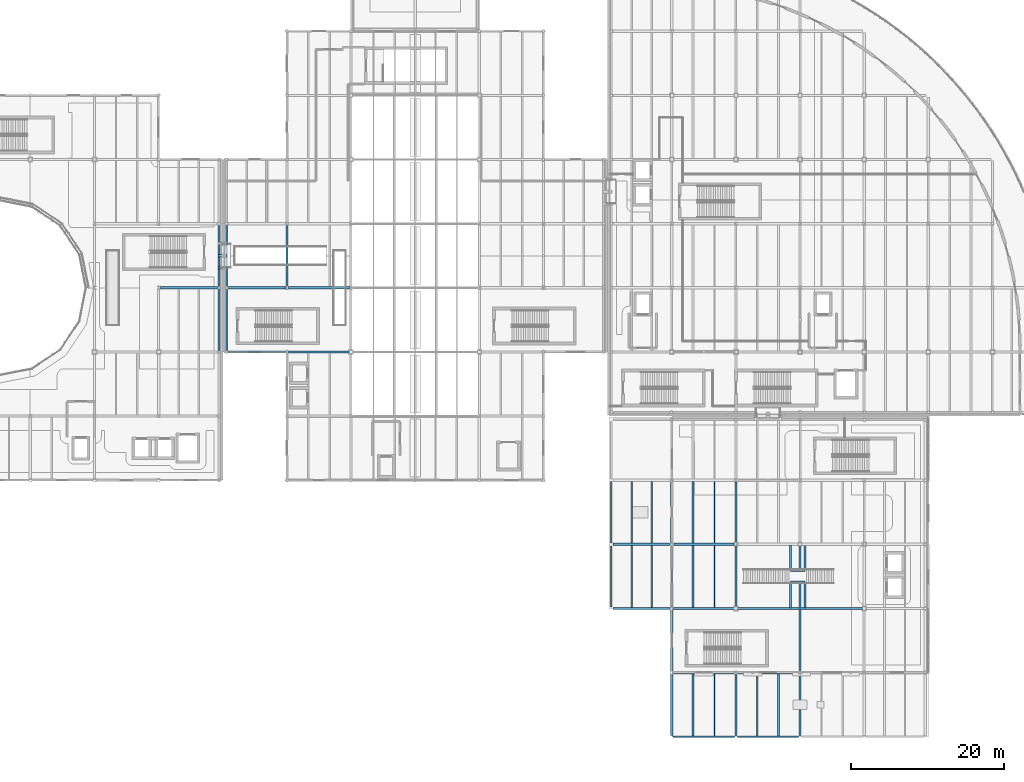
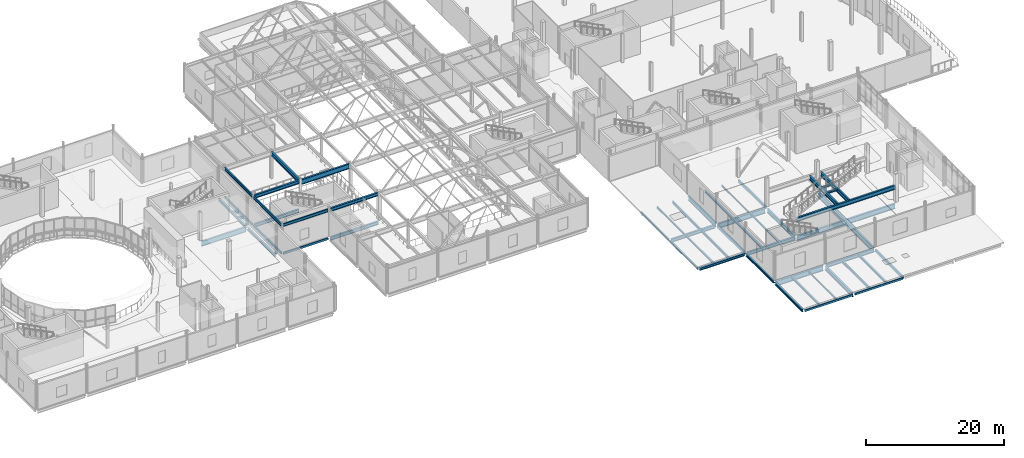
# One storey, part 21 of 103: 54 beams.
"""IFC4 building model written with IfcOpenShell, lengths in metres."""

from ifc_helpers import new_model, si_unit, direction, frame, origin, origin_2d, place, context, subcontext, project, spatial, hollow_rectangle, i_section, extrude, material, material_profile, profile_set, type_object, element, save


model = new_model("IFC4")

# Units and contexts
model_context = context("Model", 3, precision=1e-05, world=origin(), true_north=direction((0.0, 1.0)))
body_context = subcontext(model_context, "Body", "Model", "MODEL_VIEW")
ifc_project = project(units=[si_unit("LENGTHUNIT", "METRE"), si_unit("AREAUNIT", "SQUARE_METRE"), si_unit("VOLUMEUNIT", "CUBIC_METRE"), si_unit("PLANEANGLEUNIT", "RADIAN"), si_unit("MASSUNIT", "GRAM", prefix="KILO"), si_unit("THERMODYNAMICTEMPERATUREUNIT", "KELVIN")], contexts=[model_context])

# Site, building, storey
site_placement = place(None, origin())
site = spatial("IfcSite", under=ifc_project, at=site_placement, CompositionType="ELEMENT")
building_placement = place(site_placement, origin())
building = spatial("IfcBuilding", under=site, at=building_placement, Name="Lustrewick Department Store", CompositionType="ELEMENT")
storey_placement = place(building_placement, frame((0.0, 0.0, 16.5)))
storey = spatial("IfcBuildingStorey", under=building, at=storey_placement, Name="L04", CompositionType="ELEMENT", Elevation=16.5)

# Beams
ifc_material_1 = material(Name="Structural steel Q355B", Category="steel")
ifc_material_profile_1 = material_profile(ifc_material_1, i_section(OverallWidth=0.198974609375, OverallDepth=0.446044921875, WebThickness=0.008056640625, FlangeThickness=0.011962890625, FilletRadius=0.01611328125, at=origin_2d()), Name="HN 446x199x8x12")
ifc_profile_set_1 = profile_set([ifc_material_profile_1], Name="Structural steel Q355B")
beam_type_1 = type_object("IfcBeamType", Name="B04", PredefinedType="JOIST", material=ifc_profile_set_1)
beam_1_placement = place(storey_placement, frame((128.800048828125, 8.5, -0.47802734375), z_axis=(0.0, 1.0, 0.0), x_axis=(-1.0, 0.0, 0.0)))
element("IfcBeam", 1, at=beam_1_placement, inside=storey, type_object=beam_type_1, Name="L04 V3 Secondary Joist B04", PredefinedType="JOIST", context=body_context, shape_type="SweptSolid", body=[
    extrude(i_section(OverallWidth=0.198974609375, OverallDepth=0.446044921875, WebThickness=0.008056640625, FlangeThickness=0.011962890625, FilletRadius=0.01611328125, at=origin_2d()), origin(), (0.0, 0.0, 1.0), 8.14990234375),
])
beam_2_placement = place(storey_placement, frame((114.966796875, 25.35009765625, -0.47802734375), z_axis=(0.0, 1.0, 0.0), x_axis=(-1.0, 0.0, 0.0)))
element("IfcBeam", 2, at=beam_2_placement, inside=storey, type_object=beam_type_1, Name="L04 V3 Secondary Joist B04", PredefinedType="JOIST", context=body_context, shape_type="SweptSolid", body=[
    extrude(i_section(OverallWidth=0.198974609375, OverallDepth=0.446044921875, WebThickness=0.008056640625, FlangeThickness=0.011962890625, FilletRadius=0.01611328125, at=origin_2d()), origin(), (0.0, 0.0, 1.0), 8.099853515625),
])
beam_3_placement = place(storey_placement, frame((114.966796875, 33.75, -0.47802734375), z_axis=(0.0, 1.0, 0.0), x_axis=(-1.0, 0.0, 0.0)))
element("IfcBeam", 3, at=beam_3_placement, inside=storey, type_object=beam_type_1, Name="L04 V3 Secondary Joist B04", PredefinedType="JOIST", context=body_context, shape_type="SweptSolid", body=[
    extrude(i_section(OverallWidth=0.198974609375, OverallDepth=0.446044921875, WebThickness=0.008056640625, FlangeThickness=0.011962890625, FilletRadius=0.01611328125, at=origin_2d()), origin(), (0.0, 0.0, 1.0), 8.1005859375),
])
ifc_material_profile_2 = material_profile(ifc_material_1, i_section(OverallWidth=0.25, OverallDepth=0.340087890625, WebThickness=0.009033203125, FlangeThickness=0.013916015625, FilletRadius=0.01611328125, at=origin_2d()), Name="HM 340x250x9x14")
ifc_profile_set_2 = profile_set([ifc_material_profile_2], Name="Structural steel Q355B")
beam_type_2 = type_object("IfcBeamType", Name="B08", PredefinedType="JOIST", material=ifc_profile_set_2)
for number, where, z_axis, x_axis, name in (
    (4, (120.39990234375, 8.5, -0.425048828125), (0.0, 1.0, 0.0), (-1.0, 0.0, 0.0), "L04 V3 Secondary Joist B08"),
    (5, (131.60009765625, 8.5, -0.425048828125), (0.0, 1.0, 0.0), (-1.0, 0.0, 0.0), "L04 V3 Secondary Joist B08"),
):
    element("IfcBeam", number, at=place(storey_placement, frame(where, z_axis=z_axis, x_axis=x_axis)), inside=storey, type_object=beam_type_2, Name=name, PredefinedType="JOIST", context=body_context, shape_type="SweptSolid", body=[
        extrude(i_section(OverallWidth=0.25, OverallDepth=0.340087890625, WebThickness=0.009033203125, FlangeThickness=0.013916015625, FilletRadius=0.01611328125, at=origin_2d()), origin(), (0.0, 0.0, 1.0), 8.14990234375),
    ])
beam_4_placement = place(storey_placement, frame((120.39990234375, 25.35009765625, -0.425048828125), z_axis=(0.0, 1.0, 0.0), x_axis=(-1.0, 0.0, 0.0)))
element("IfcBeam", 6, at=beam_4_placement, inside=storey, type_object=beam_type_2, Name="L04 V3 Secondary Joist B08", PredefinedType="JOIST", context=body_context, shape_type="SweptSolid", body=[
    extrude(i_section(OverallWidth=0.25, OverallDepth=0.340087890625, WebThickness=0.009033203125, FlangeThickness=0.013916015625, FilletRadius=0.01611328125, at=origin_2d()), origin(), (0.0, 0.0, 1.0), 8.099853515625),
])
beam_5_placement = place(storey_placement, frame((120.39990234375, 33.75, -0.425048828125), z_axis=(0.0, 1.0, 0.0), x_axis=(-1.0, 0.0, 0.0)))
element("IfcBeam", 7, at=beam_5_placement, inside=storey, type_object=beam_type_2, Name="L04 V3 Secondary Joist B08", PredefinedType="JOIST", context=body_context, shape_type="SweptSolid", body=[
    extrude(i_section(OverallWidth=0.25, OverallDepth=0.340087890625, WebThickness=0.009033203125, FlangeThickness=0.013916015625, FilletRadius=0.01611328125, at=origin_2d()), origin(), (0.0, 0.0, 1.0), 8.10009765625),
])
for number, where, z_axis, x_axis, name in (
    (8, (133.14990234375, 28.64990234375, 2.780029296875), (1.0, 0.0, 0.0), (0.0, 1.0, 0.0), "L04 Feature Stair AST04 Landing Cross Beam 1"),
    (9, (133.14990234375, 30.14990234375, 2.780029296875), (1.0, 0.0, 0.0), (0.0, 1.0, 0.0), "L04 Feature Stair AST04 Landing Cross Beam 2"),
):
    element("IfcBeam", number, at=place(storey_placement, frame(where, z_axis=z_axis, x_axis=x_axis)), inside=storey, type_object=beam_type_2, Name=name, PredefinedType="JOIST", context=body_context, shape_type="SweptSolid", body=[
        extrude(i_section(OverallWidth=0.25, OverallDepth=0.340087890625, WebThickness=0.009033203125, FlangeThickness=0.013916015625, FilletRadius=0.01611328125, at=origin_2d()), origin(), (0.0, 0.0, 1.0), 1.900146484375),
    ])
ifc_material_profile_3 = material_profile(ifc_material_1, i_section(OverallWidth=0.14892578125, OverallDepth=0.298095703125, WebThickness=0.005615234375, FlangeThickness=0.008056640625, FilletRadius=0.011962890625, at=origin_2d()), Name="HN 298x149x5.5x8")
ifc_profile_set_3 = profile_set([ifc_material_profile_3], Name="Structural steel Q355B")
beam_type_3 = type_object("IfcBeamType", Name="B12", PredefinedType="JOIST", material=ifc_profile_set_3)
beam_6_placement = place(storey_placement, frame((123.199951171875, 8.5, -0.404052734375), z_axis=(0.0, 1.0, 0.0), x_axis=(-1.0, 0.0, 0.0)))
element("IfcBeam", 10, at=beam_6_placement, inside=storey, type_object=beam_type_3, Name="L04 V3 Secondary Joist B12", PredefinedType="JOIST", context=body_context, shape_type="SweptSolid", body=[
    extrude(i_section(OverallWidth=0.14892578125, OverallDepth=0.298095703125, WebThickness=0.005615234375, FlangeThickness=0.008056640625, FilletRadius=0.011962890625, at=origin_2d()), origin(), (0.0, 0.0, 1.0), 8.14990234375),
])
beam_7_placement = place(storey_placement, frame((123.199951171875, 25.35009765625, -0.404052734375), z_axis=(0.0, 1.0, 0.0), x_axis=(-1.0, 0.0, 0.0)))
element("IfcBeam", 11, at=beam_7_placement, inside=storey, type_object=beam_type_3, Name="L04 V3 Secondary Joist B12", PredefinedType="JOIST", context=body_context, shape_type="SweptSolid", body=[
    extrude(i_section(OverallWidth=0.14892578125, OverallDepth=0.298095703125, WebThickness=0.005615234375, FlangeThickness=0.008056640625, FilletRadius=0.011962890625, at=origin_2d()), origin(), (0.0, 0.0, 1.0), 8.099853515625),
])
beam_8_placement = place(storey_placement, frame((123.199951171875, 33.75, -0.404052734375), z_axis=(0.0, 1.0, 0.0), x_axis=(-1.0, 0.0, 0.0)))
element("IfcBeam", 12, at=beam_8_placement, inside=storey, type_object=beam_type_3, Name="L04 V3 Secondary Joist B12", PredefinedType="JOIST", context=body_context, shape_type="SweptSolid", body=[
    extrude(i_section(OverallWidth=0.14892578125, OverallDepth=0.298095703125, WebThickness=0.005615234375, FlangeThickness=0.008056640625, FilletRadius=0.011962890625, at=origin_2d()), origin(), (0.0, 0.0, 1.0), 8.10009765625),
])
ifc_material_profile_4 = material_profile(ifc_material_1, i_section(OverallWidth=0.199951171875, OverallDepth=0.2939453125, WebThickness=0.008056640625, FlangeThickness=0.011962890625, FilletRadius=0.013916015625, at=origin_2d()), Name="HM 294x200x8x12")
ifc_profile_set_4 = profile_set([ifc_material_profile_4], Name="Structural steel Q355B")
beam_type_4 = type_object("IfcBeamType", Name="B13", PredefinedType="JOIST", material=ifc_profile_set_4)
beam_9_placement = place(storey_placement, frame((112.333251953125, 25.35009765625, -0.402099609375), z_axis=(0.0, 1.0, 0.0), x_axis=(-1.0, 0.0, 0.0)))
element("IfcBeam", 13, at=beam_9_placement, inside=storey, type_object=beam_type_4, Name="L04 V3 Secondary Joist B13", PredefinedType="JOIST", context=body_context, shape_type="SweptSolid", body=[
    extrude(i_section(OverallWidth=0.199951171875, OverallDepth=0.2939453125, WebThickness=0.008056640625, FlangeThickness=0.011962890625, FilletRadius=0.013916015625, at=origin_2d()), origin(), (0.0, 0.0, 1.0), 8.099853515625),
])
beam_10_placement = place(storey_placement, frame((112.333251953125, 33.75, -0.402099609375), z_axis=(0.0, 1.0, 0.0), x_axis=(-1.0, 0.0, 0.0)))
element("IfcBeam", 14, at=beam_10_placement, inside=storey, type_object=beam_type_4, Name="L04 V3 Secondary Joist B13", PredefinedType="JOIST", context=body_context, shape_type="SweptSolid", body=[
    extrude(i_section(OverallWidth=0.199951171875, OverallDepth=0.2939453125, WebThickness=0.008056640625, FlangeThickness=0.011962890625, FilletRadius=0.013916015625, at=origin_2d()), origin(), (0.0, 0.0, 1.0), 8.1005859375),
])
ifc_material_2 = material(Name="Structural steel Q355C", Category="steel")
ifc_material_profile_5 = material_profile(ifc_material_2, i_section(OverallWidth=0.302001953125, OverallDepth=0.912109375, WebThickness=0.01806640625, FlangeThickness=0.033935546875, FilletRadius=0.02392578125, at=origin_2d()), Name="HN 912x302x18x34")
ifc_profile_set_5 = profile_set([ifc_material_profile_5], Name="Structural steel Q355C")
beam_type_5 = type_object("IfcBeamType", Name="G01", PredefinedType="BEAM", material=ifc_profile_set_5)
beam_11_placement = place(storey_placement, frame((126.175048828125, 25.199951171875, -0.7109375), z_axis=(1.0, 0.0, 0.0), x_axis=(0.0, 1.0, 0.0)))
element("IfcBeam", 15, at=beam_11_placement, inside=storey, type_object=beam_type_5, Name="L04 V3 Girder G01", PredefinedType="BEAM", context=body_context, shape_type="SweptSolid", body=[
    extrude(i_section(OverallWidth=0.302001953125, OverallDepth=0.912109375, WebThickness=0.01806640625, FlangeThickness=0.033935546875, FilletRadius=0.02392578125, at=origin_2d()), origin(), (0.0, 0.0, 1.0), 16.449951171875),
])
ifc_material_profile_6 = material_profile(ifc_material_2, i_section(OverallWidth=0.300048828125, OverallDepth=0.89990234375, WebThickness=0.01611328125, FlangeThickness=0.028076171875, FilletRadius=0.02392578125, at=origin_2d()), Name="HN 900x300x16x28")
ifc_profile_set_6 = profile_set([ifc_material_profile_6], Name="Structural steel Q355C")
beam_type_6 = type_object("IfcBeamType", Name="G02", PredefinedType="BEAM", material=ifc_profile_set_6)
beam_12_placement = place(storey_placement, frame((117.802978515625, 16.800048828125, -0.705078125), z_axis=(1.0, 0.0, 0.0), x_axis=(0.0, 1.0, 0.0)))
element("IfcBeam", 16, at=beam_12_placement, inside=storey, type_object=beam_type_6, Name="L04 V3 Girder G02", PredefinedType="BEAM", context=body_context, shape_type="SweptSolid", body=[
    extrude(i_section(OverallWidth=0.300048828125, OverallDepth=0.89990234375, WebThickness=0.01611328125, FlangeThickness=0.028076171875, FilletRadius=0.02392578125, at=origin_2d()), origin(), (0.0, 0.0, 1.0), 7.947021484375),
])
beam_13_placement = place(storey_placement, frame((117.875, 33.60009765625, -0.705078125), z_axis=(1.0, 0.0, 0.0), x_axis=(0.0, 1.0, 0.0)))
element("IfcBeam", 17, at=beam_13_placement, inside=storey, type_object=beam_type_6, Name="L04 V3 Girder G02", PredefinedType="BEAM", context=body_context, shape_type="SweptSolid", body=[
    extrude(i_section(OverallWidth=0.300048828125, OverallDepth=0.89990234375, WebThickness=0.01611328125, FlangeThickness=0.028076171875, FilletRadius=0.02392578125, at=origin_2d()), origin(), (0.0, 0.0, 1.0), 7.85009765625),
])
ifc_material_profile_7 = material_profile(ifc_material_2, i_section(OverallWidth=0.299072265625, OverallDepth=0.889892578125, WebThickness=0.014892578125, FlangeThickness=0.02294921875, FilletRadius=0.02392578125, at=origin_2d()), Name="HN 890x299x15x23")
ifc_profile_set_7 = profile_set([ifc_material_profile_7], Name="Structural steel Q355C")
beam_type_7 = type_object("IfcBeamType", Name="G03", PredefinedType="BEAM", material=ifc_profile_set_7)
beam_14_placement = place(storey_placement, frame((50.64990234375, 67.199951171875, -0.699951171875), z_axis=(1.0, 0.0, 0.0), x_axis=(0.0, 1.0, 0.0)))
element("IfcBeam", 18, at=beam_14_placement, inside=storey, type_object=beam_type_7, Name="L04 V1 Girder G03", PredefinedType="BEAM", context=body_context, shape_type="SweptSolid", body=[
    extrude(i_section(OverallWidth=0.299072265625, OverallDepth=0.889892578125, WebThickness=0.014892578125, FlangeThickness=0.02294921875, FilletRadius=0.02392578125, at=origin_2d()), origin(), (0.0, 0.0, 1.0), 7.461669921875),
])
beam_15_placement = place(storey_placement, frame((134.39990234375, 17.050048828125, -0.699951171875), z_axis=(0.0, 1.0, 0.0), x_axis=(-1.0, 0.0, 0.0)))
element("IfcBeam", 19, at=beam_15_placement, inside=storey, type_object=beam_type_7, Name="L04 V3 Girder G03", PredefinedType="BEAM", context=body_context, shape_type="SweptSolid", body=[
    extrude(i_section(OverallWidth=0.299072265625, OverallDepth=0.889892578125, WebThickness=0.014892578125, FlangeThickness=0.02294921875, FilletRadius=0.02392578125, at=origin_2d()), origin(), (0.0, 0.0, 1.0), 16.27490234375),
])
beam_16_placement = place(storey_placement, frame((67.40087890625, 67.199951171875, 4.39990234375), z_axis=(1.0, 0.0, 0.0), x_axis=(0.0, 1.0, 0.0)))
element("IfcBeam", 20, at=beam_16_placement, inside=storey, type_object=beam_type_7, Name="L04 V2 Girder G03", PredefinedType="BEAM", context=body_context, shape_type="SweptSolid", body=[
    extrude(i_section(OverallWidth=0.299072265625, OverallDepth=0.889892578125, WebThickness=0.014892578125, FlangeThickness=0.02294921875, FilletRadius=0.02392578125, at=origin_2d()), origin(), (0.0, 0.0, 1.0), 7.998046875),
])
ifc_material_profile_8 = material_profile(ifc_material_2, i_section(OverallWidth=0.302001953125, OverallDepth=0.7080078125, WebThickness=0.014892578125, FlangeThickness=0.028076171875, FilletRadius=0.02001953125, at=origin_2d()), Name="HN 708x302x15x28")
ifc_profile_set_8 = profile_set([ifc_material_profile_8], Name="Structural steel Q355C")
beam_type_8 = type_object("IfcBeamType", Name="G07", PredefinedType="BEAM", material=ifc_profile_set_8)
beam_17_placement = place(storey_placement, frame((117.60009765625, 33.875, -0.60888671875), z_axis=(0.0, 1.0, 0.0), x_axis=(-1.0, 0.0, 0.0)))
element("IfcBeam", 21, at=beam_17_placement, inside=storey, type_object=beam_type_8, Name="L04 V3 Girder G07", PredefinedType="BEAM", context=body_context, shape_type="SweptSolid", body=[
    extrude(i_section(OverallWidth=0.302001953125, OverallDepth=0.7080078125, WebThickness=0.014892578125, FlangeThickness=0.028076171875, FilletRadius=0.02001953125, at=origin_2d()), origin(), (0.0, 0.0, 1.0), 7.875),
])
beam_18_placement = place(storey_placement, frame((126.0, 8.58837890625, -0.60888671875), z_axis=(0.0, 1.0, 0.0), x_axis=(-1.0, 0.0, 0.0)))
element("IfcBeam", 22, at=beam_18_placement, inside=storey, type_object=beam_type_8, Name="L04 V3 Girder G07", PredefinedType="BEAM", context=body_context, shape_type="SweptSolid", body=[
    extrude(i_section(OverallWidth=0.302001953125, OverallDepth=0.7080078125, WebThickness=0.014892578125, FlangeThickness=0.028076171875, FilletRadius=0.02001953125, at=origin_2d()), origin(), (0.0, 0.0, 1.0), 7.961669921875),
])
beam_19_placement = place(storey_placement, frame((126.0, 25.375, -0.60888671875), z_axis=(0.0, 1.0, 0.0), x_axis=(-1.0, 0.0, 0.0)))
element("IfcBeam", 23, at=beam_19_placement, inside=storey, type_object=beam_type_8, Name="L04 V3 Girder G07", PredefinedType="BEAM", context=body_context, shape_type="SweptSolid", body=[
    extrude(i_section(OverallWidth=0.302001953125, OverallDepth=0.7080078125, WebThickness=0.014892578125, FlangeThickness=0.028076171875, FilletRadius=0.02001953125, at=origin_2d()), origin(), (0.0, 0.0, 1.0), 7.949951171875),
])
ifc_material_profile_9 = material_profile(ifc_material_1, i_section(OverallWidth=0.300048828125, OverallDepth=0.699951171875, WebThickness=0.012939453125, FlangeThickness=0.02392578125, FilletRadius=0.02001953125, at=origin_2d()), Name="HN 700x300x13x24")
ifc_profile_set_9 = profile_set([ifc_material_profile_9], Name="Structural steel Q355B")
beam_type_9 = type_object("IfcBeamType", Name="G08", PredefinedType="BEAM", material=ifc_profile_set_9)
beam_20_placement = place(storey_placement, frame((67.199951171875, 67.39404296875, 4.4951171875), z_axis=(0.0, 1.0, 0.0), x_axis=(-1.0, 0.0, 0.0)))
element("IfcBeam", 24, at=beam_20_placement, inside=storey, type_object=beam_type_9, Name="L04 V2 Girder G08", PredefinedType="BEAM", context=body_context, shape_type="SweptSolid", body=[
    extrude(i_section(OverallWidth=0.300048828125, OverallDepth=0.699951171875, WebThickness=0.012939453125, FlangeThickness=0.02392578125, FilletRadius=0.02001953125, at=origin_2d()), origin(), (0.0, 0.0, 1.0), 8.031005859375),
])
beam_21_placement = place(storey_placement, frame((126.10009765625, 25.199951171875, 2.60009765625), z_axis=(1.0, 0.0, 0.0), x_axis=(0.0, 1.0, 0.0)))
element("IfcBeam", 25, at=beam_21_placement, inside=storey, type_object=beam_type_9, Name="L04 Feature Stair AST04 Stringer Girder EW1.1", PredefinedType="BEAM", context=body_context, shape_type="SweptSolid", body=[
    extrude(i_section(OverallWidth=0.300048828125, OverallDepth=0.699951171875, WebThickness=0.012939453125, FlangeThickness=0.02392578125, FilletRadius=0.02001953125, at=origin_2d()), origin(), (0.0, 0.0, 1.0), 16.599853515625),
])
for number, where, z_axis, x_axis, name in (
    (26, (133.14990234375, 25.300048828125, 2.60009765625), (0.0, 1.0, 0.0), (-1.0, 0.0, 0.0), "L04 Feature Stair AST04 Landing Trimmer NS1"),
    (27, (135.050048828125, 25.300048828125, 2.60009765625), (0.0, 1.0, 0.0), (-1.0, 0.0, 0.0), "L04 Feature Stair AST04 Landing Trimmer NS2"),
):
    element("IfcBeam", number, at=place(storey_placement, frame(where, z_axis=z_axis, x_axis=x_axis)), inside=storey, type_object=beam_type_9, Name=name, PredefinedType="BEAM", context=body_context, shape_type="SweptSolid", body=[
        extrude(i_section(OverallWidth=0.300048828125, OverallDepth=0.699951171875, WebThickness=0.012939453125, FlangeThickness=0.02392578125, FilletRadius=0.02001953125, at=origin_2d()), origin(), (0.0, 0.0, 1.0), 8.199951171875),
    ])
ifc_material_profile_10 = material_profile(ifc_material_1, i_section(OverallWidth=0.300048828125, OverallDepth=0.587890625, WebThickness=0.011962890625, FlangeThickness=0.02001953125, FilletRadius=0.02392578125, at=origin_2d()), Name="HM 588x300x12x20")
ifc_profile_set_10 = profile_set([ifc_material_profile_10], Name="Structural steel Q355B")
beam_type_10 = type_object("IfcBeamType", Name="G11", PredefinedType="BEAM", material=ifc_profile_set_10)
beam_22_placement = place(storey_placement, frame((67.403076171875, 58.800048828125, -0.549072265625), z_axis=(1.0, 0.0, 0.0), x_axis=(0.0, 1.0, 0.0)))
element("IfcBeam", 28, at=beam_22_placement, inside=storey, type_object=beam_type_10, Name="L04 V2 Girder G11", PredefinedType="BEAM", context=body_context, shape_type="SweptSolid", body=[
    extrude(i_section(OverallWidth=0.300048828125, OverallDepth=0.587890625, WebThickness=0.011962890625, FlangeThickness=0.02001953125, FilletRadius=0.02392578125, at=origin_2d()), origin(), (0.0, 0.0, 1.0), 8.02197265625),
])
beam_23_placement = place(storey_placement, frame((59.488525390625, 67.199951171875, -0.549072265625), z_axis=(1.0, 0.0, 0.0), x_axis=(0.0, 1.0, 0.0)))
element("IfcBeam", 29, at=beam_23_placement, inside=storey, type_object=beam_type_10, Name="L04 V2 Girder G11", PredefinedType="BEAM", context=body_context, shape_type="SweptSolid", body=[
    extrude(i_section(OverallWidth=0.300048828125, OverallDepth=0.587890625, WebThickness=0.011962890625, FlangeThickness=0.02001953125, FilletRadius=0.02392578125, at=origin_2d()), origin(), (0.0, 0.0, 1.0), 7.46142578125),
])
beam_24_placement = place(storey_placement, frame((126.25, 16.800048828125, -0.549072265625), z_axis=(1.0, 0.0, 0.0), x_axis=(0.0, 1.0, 0.0)))
element("IfcBeam", 30, at=beam_24_placement, inside=storey, type_object=beam_type_10, Name="L04 V3 Girder G11", PredefinedType="BEAM", context=body_context, shape_type="SweptSolid", body=[
    extrude(i_section(OverallWidth=0.300048828125, OverallDepth=0.587890625, WebThickness=0.011962890625, FlangeThickness=0.02001953125, FilletRadius=0.02392578125, at=origin_2d()), origin(), (0.0, 0.0, 1.0), 7.89990234375),
])
beam_25_placement = place(storey_placement, frame((117.802978515625, 25.199951171875, -0.549072265625), z_axis=(1.0, 0.0, 0.0), x_axis=(0.0, 1.0, 0.0)))
element("IfcBeam", 31, at=beam_25_placement, inside=storey, type_object=beam_type_10, Name="L04 V3 Girder G11", PredefinedType="BEAM", context=body_context, shape_type="SweptSolid", body=[
    extrude(i_section(OverallWidth=0.300048828125, OverallDepth=0.587890625, WebThickness=0.011962890625, FlangeThickness=0.02001953125, FilletRadius=0.02392578125, at=origin_2d()), origin(), (0.0, 0.0, 1.0), 8.02197265625),
])
beam_26_placement = place(storey_placement, frame((109.903076171875, 33.60009765625, -0.549072265625), z_axis=(1.0, 0.0, 0.0), x_axis=(0.0, 1.0, 0.0)))
element("IfcBeam", 32, at=beam_26_placement, inside=storey, type_object=beam_type_10, Name="L04 V3 Girder G11", PredefinedType="BEAM", context=body_context, shape_type="SweptSolid", body=[
    extrude(i_section(OverallWidth=0.300048828125, OverallDepth=0.587890625, WebThickness=0.011962890625, FlangeThickness=0.02001953125, FilletRadius=0.02392578125, at=origin_2d()), origin(), (0.0, 0.0, 1.0), 7.421875),
])
ifc_material_profile_11 = material_profile(ifc_material_1, i_section(OverallWidth=0.300048828125, OverallDepth=0.58203125, WebThickness=0.011962890625, FlangeThickness=0.01708984375, FilletRadius=0.02392578125, at=origin_2d()), Name="HM 582x300x12x17")
ifc_profile_set_11 = profile_set([ifc_material_profile_11], Name="Structural steel Q355B")
beam_type_11 = type_object("IfcBeamType", Name="G12", PredefinedType="BEAM", material=ifc_profile_set_11)
beam_27_placement = place(storey_placement, frame((67.403076171875, 58.800048828125, 4.553955078125), z_axis=(1.0, 0.0, 0.0), x_axis=(0.0, 1.0, 0.0)))
element("IfcBeam", 33, at=beam_27_placement, inside=storey, type_object=beam_type_11, Name="L04 V2 Girder G12", PredefinedType="BEAM", context=body_context, shape_type="SweptSolid", body=[
    extrude(i_section(OverallWidth=0.300048828125, OverallDepth=0.58203125, WebThickness=0.011962890625, FlangeThickness=0.01708984375, FilletRadius=0.02392578125, at=origin_2d()), origin(), (0.0, 0.0, 1.0), 7.921875),
])
beam_28_placement = place(storey_placement, frame((59.488525390625, 67.199951171875, 4.553955078125), z_axis=(1.0, 0.0, 0.0), x_axis=(0.0, 1.0, 0.0)))
element("IfcBeam", 34, at=beam_28_placement, inside=storey, type_object=beam_type_11, Name="L04 V2 Girder G12", PredefinedType="BEAM", context=body_context, shape_type="SweptSolid", body=[
    extrude(i_section(OverallWidth=0.300048828125, OverallDepth=0.58203125, WebThickness=0.011962890625, FlangeThickness=0.01708984375, FilletRadius=0.02392578125, at=origin_2d()), origin(), (0.0, 0.0, 1.0), 7.510498046875),
])
ifc_material_profile_12 = material_profile(ifc_material_1, i_section(OverallWidth=0.300048828125, OverallDepth=0.488037109375, WebThickness=0.010986328125, FlangeThickness=0.01806640625, FilletRadius=0.02197265625, at=origin_2d()), Name="HM 488x300x11x18")
ifc_profile_set_12 = profile_set([ifc_material_profile_12], Name="Structural steel Q355B")
beam_type_12 = type_object("IfcBeamType", Name="G16", PredefinedType="BEAM", material=ifc_profile_set_12)
for number, where, z_axis, x_axis, name in (
    (35, (58.199951171875, 69.800048828125, -0.4990234375), (1.0, 0.0, 0.0), (0.0, 1.0, 0.0), "L04 Skybridge SB12 Girder 1"),
    (36, (58.199951171875, 71.39990234375, -0.4990234375), (1.0, 0.0, 0.0), (0.0, 1.0, 0.0), "L04 Skybridge SB12 Girder 3"),
):
    element("IfcBeam", number, at=place(storey_placement, frame(where, z_axis=z_axis, x_axis=x_axis)), inside=storey, type_object=beam_type_12, Name=name, PredefinedType="BEAM", context=body_context, shape_type="SweptSolid", body=[
        extrude(i_section(OverallWidth=0.300048828125, OverallDepth=0.488037109375, WebThickness=0.010986328125, FlangeThickness=0.01806640625, FilletRadius=0.02197265625, at=origin_2d()), origin(), (0.0, 0.0, 1.0), 1.14013671875),
    ])
ifc_material_profile_13 = material_profile(ifc_material_2, hollow_rectangle(XDim=0.25, YDim=0.449951171875, WallThickness=0.013916015625, at=origin_2d()), Name="RHS 450x250x14")
ifc_profile_set_13 = profile_set([ifc_material_profile_13], Name="Structural steel Q355C")
beam_type_13 = type_object("IfcBeamType", Name="G18", PredefinedType="BEAM", material=ifc_profile_set_13)
beam_29_placement = place(storey_placement, frame((117.60009765625, 25.403076171875, -0.47998046875), z_axis=(0.0, 1.0, 0.0), x_axis=(-1.0, 0.0, 0.0)))
element("IfcBeam", 37, at=beam_29_placement, inside=storey, type_object=beam_type_13, Name="L04 V3 Girder G18", PredefinedType="BEAM", context=body_context, shape_type="SweptSolid", body=[
    extrude(hollow_rectangle(XDim=0.25, YDim=0.449951171875, WallThickness=0.013916015625, at=origin_2d()), origin(), (0.0, 0.0, 1.0), 7.921875),
])
beam_30_placement = place(storey_placement, frame((126.0, 33.875, -0.47998046875), z_axis=(0.0, 1.0, 0.0), x_axis=(-1.0, 0.0, 0.0)))
element("IfcBeam", 38, at=beam_30_placement, inside=storey, type_object=beam_type_13, Name="L04 V3 Girder G18", PredefinedType="BEAM", context=body_context, shape_type="SweptSolid", body=[
    extrude(hollow_rectangle(XDim=0.25, YDim=0.449951171875, WallThickness=0.013916015625, at=origin_2d()), origin(), (0.0, 0.0, 1.0), 7.875),
])
beam_31_placement = place(storey_placement, frame((134.39990234375, 8.58837890625, -0.47998046875), z_axis=(0.0, 1.0, 0.0), x_axis=(-1.0, 0.0, 0.0)))
element("IfcBeam", 39, at=beam_31_placement, inside=storey, type_object=beam_type_13, Name="L04 V3 Girder G18", PredefinedType="BEAM", context=body_context, shape_type="SweptSolid", body=[
    extrude(hollow_rectangle(XDim=0.25, YDim=0.449951171875, WallThickness=0.013916015625, at=origin_2d()), origin(), (0.0, 0.0, 1.0), 7.961669921875),
])
ifc_material_profile_14 = material_profile(ifc_material_1, i_section(OverallWidth=0.200927734375, OverallDepth=0.506103515625, WebThickness=0.010986328125, FlangeThickness=0.01904296875, FilletRadius=0.01611328125, at=origin_2d()), Name="HN 506x201x11x19")
ifc_profile_set_14 = profile_set([ifc_material_profile_14], Name="Structural steel Q355B")
beam_type_14 = type_object("IfcBeamType", Name="SP01", PredefinedType="SPANDREL", material=ifc_profile_set_14)
beam_32_placement = place(storey_placement, frame((59.488525390625, 58.800048828125, 4.592041015625), z_axis=(1.0, 0.0, 0.0), x_axis=(0.0, 1.0, 0.0)))
element("IfcBeam", 40, at=beam_32_placement, inside=storey, type_object=beam_type_14, Name="L04 V2 Girder SP01", PredefinedType="SPANDREL", context=body_context, shape_type="SweptSolid", body=[
    extrude(i_section(OverallWidth=0.200927734375, OverallDepth=0.506103515625, WebThickness=0.010986328125, FlangeThickness=0.01904296875, FilletRadius=0.01611328125, at=origin_2d()), origin(), (0.0, 0.0, 1.0), 7.508544921875),
])
beam_33_placement = place(storey_placement, frame((59.300048828125, 58.988525390625, 4.592041015625), z_axis=(0.0, 1.0, 0.0), x_axis=(-1.0, 0.0, 0.0)))
element("IfcBeam", 41, at=beam_33_placement, inside=storey, type_object=beam_type_14, Name="L04 V2 Girder SP01", PredefinedType="SPANDREL", context=body_context, shape_type="SweptSolid", body=[
    extrude(i_section(OverallWidth=0.200927734375, OverallDepth=0.506103515625, WebThickness=0.010986328125, FlangeThickness=0.01904296875, FilletRadius=0.01611328125, at=origin_2d()), origin(), (0.0, 0.0, 1.0), 8.02294921875),
])
beam_34_placement = place(storey_placement, frame((59.300048828125, 67.388427734375, 4.592041015625), z_axis=(0.0, 1.0, 0.0), x_axis=(-1.0, 0.0, 0.0)))
element("IfcBeam", 42, at=beam_34_placement, inside=storey, type_object=beam_type_14, Name="L04 V2 Girder SP01", PredefinedType="SPANDREL", context=body_context, shape_type="SweptSolid", body=[
    extrude(i_section(OverallWidth=0.200927734375, OverallDepth=0.506103515625, WebThickness=0.010986328125, FlangeThickness=0.01904296875, FilletRadius=0.01611328125, at=origin_2d()), origin(), (0.0, 0.0, 1.0), 8.008544921875),
])
ifc_material_profile_15 = material_profile(ifc_material_1, i_section(OverallWidth=0.300048828125, OverallDepth=0.43994140625, WebThickness=0.010986328125, FlangeThickness=0.01806640625, FilletRadius=0.02001953125, at=origin_2d()), Name="HM 440x300x11x18")
ifc_profile_set_15 = profile_set([ifc_material_profile_15], Name="Structural steel Q355B")
beam_type_15 = type_object("IfcBeamType", Name="SP02", PredefinedType="SPANDREL", material=ifc_profile_set_15)
beam_35_placement = place(storey_placement, frame((58.300048828125, 58.988525390625, -0.47509765625), z_axis=(0.0, 1.0, 0.0), x_axis=(-1.0, 0.0, 0.0)))
element("IfcBeam", 43, at=beam_35_placement, inside=storey, type_object=beam_type_15, Name="L04 V1 Girder SP02", PredefinedType="SPANDREL", context=body_context, shape_type="SweptSolid", body=[
    extrude(i_section(OverallWidth=0.300048828125, OverallDepth=0.43994140625, WebThickness=0.010986328125, FlangeThickness=0.01806640625, FilletRadius=0.02001953125, at=origin_2d()), origin(), (0.0, 0.0, 1.0), 8.02294921875),
])
beam_36_placement = place(storey_placement, frame((58.300048828125, 67.388427734375, -0.47509765625), z_axis=(0.0, 1.0, 0.0), x_axis=(-1.0, 0.0, 0.0)))
element("IfcBeam", 44, at=beam_36_placement, inside=storey, type_object=beam_type_15, Name="L04 V1 Girder SP02", PredefinedType="SPANDREL", context=body_context, shape_type="SweptSolid", body=[
    extrude(i_section(OverallWidth=0.300048828125, OverallDepth=0.43994140625, WebThickness=0.010986328125, FlangeThickness=0.01806640625, FilletRadius=0.02001953125, at=origin_2d()), origin(), (0.0, 0.0, 1.0), 8.008544921875),
])
beam_37_placement = place(storey_placement, frame((109.888427734375, 25.199951171875, -0.47509765625), z_axis=(1.0, 0.0, 0.0), x_axis=(0.0, 1.0, 0.0)))
element("IfcBeam", 45, at=beam_37_placement, inside=storey, type_object=beam_type_15, Name="L04 V3 Girder SP02", PredefinedType="SPANDREL", context=body_context, shape_type="SweptSolid", body=[
    extrude(i_section(OverallWidth=0.300048828125, OverallDepth=0.43994140625, WebThickness=0.010986328125, FlangeThickness=0.01806640625, FilletRadius=0.02001953125, at=origin_2d()), origin(), (0.0, 0.0, 1.0), 7.508544921875),
])
beam_38_placement = place(storey_placement, frame((117.60009765625, 8.58837890625, -0.47509765625), z_axis=(0.0, 1.0, 0.0), x_axis=(-1.0, 0.0, 0.0)))
element("IfcBeam", 46, at=beam_38_placement, inside=storey, type_object=beam_type_15, Name="L04 V3 Girder SP02", PredefinedType="SPANDREL", context=body_context, shape_type="SweptSolid", body=[
    extrude(i_section(OverallWidth=0.300048828125, OverallDepth=0.43994140625, WebThickness=0.010986328125, FlangeThickness=0.01806640625, FilletRadius=0.02001953125, at=origin_2d()), origin(), (0.0, 0.0, 1.0), 8.008544921875),
])
beam_39_placement = place(storey_placement, frame((117.60009765625, 17.0029296875, -0.47509765625), z_axis=(0.0, 1.0, 0.0), x_axis=(-1.0, 0.0, 0.0)))
element("IfcBeam", 47, at=beam_39_placement, inside=storey, type_object=beam_type_15, Name="L04 V3 Girder SP02", PredefinedType="SPANDREL", context=body_context, shape_type="SweptSolid", body=[
    extrude(i_section(OverallWidth=0.300048828125, OverallDepth=0.43994140625, WebThickness=0.010986328125, FlangeThickness=0.01806640625, FilletRadius=0.02001953125, at=origin_2d()), origin(), (0.0, 0.0, 1.0), 7.994140625),
])
ifc_material_profile_16 = material_profile(ifc_material_2, hollow_rectangle(XDim=0.199951171875, YDim=0.35009765625, WallThickness=0.011962890625, at=origin_2d()), Name="RHS 350x200x12")
ifc_profile_set_16 = profile_set([ifc_material_profile_16], Name="Structural steel Q355C")
beam_type_16 = type_object("IfcBeamType", Name="SP03", PredefinedType="SPANDREL", material=ifc_profile_set_16)
beam_40_placement = place(storey_placement, frame((59.488525390625, 58.800048828125, -0.429931640625), z_axis=(1.0, 0.0, 0.0), x_axis=(0.0, 1.0, 0.0)))
element("IfcBeam", 48, at=beam_40_placement, inside=storey, type_object=beam_type_16, Name="L04 V2 Girder SP03", PredefinedType="SPANDREL", context=body_context, shape_type="SweptSolid", body=[
    extrude(hollow_rectangle(XDim=0.199951171875, YDim=0.35009765625, WallThickness=0.011962890625, at=origin_2d()), origin(), (0.0, 0.0, 1.0), 7.508544921875),
])
beam_41_placement = place(storey_placement, frame((59.300048828125, 58.988525390625, -0.429931640625), z_axis=(0.0, 1.0, 0.0), x_axis=(-1.0, 0.0, 0.0)))
element("IfcBeam", 49, at=beam_41_placement, inside=storey, type_object=beam_type_16, Name="L04 V2 Girder SP03", PredefinedType="SPANDREL", context=body_context, shape_type="SweptSolid", body=[
    extrude(hollow_rectangle(XDim=0.199951171875, YDim=0.35009765625, WallThickness=0.011962890625, at=origin_2d()), origin(), (0.0, 0.0, 1.0), 8.02294921875),
])
beam_42_placement = place(storey_placement, frame((59.300048828125, 67.388427734375, -0.429931640625), z_axis=(0.0, 1.0, 0.0), x_axis=(-1.0, 0.0, 0.0)))
element("IfcBeam", 50, at=beam_42_placement, inside=storey, type_object=beam_type_16, Name="L04 V2 Girder SP03", PredefinedType="SPANDREL", context=body_context, shape_type="SweptSolid", body=[
    extrude(hollow_rectangle(XDim=0.199951171875, YDim=0.35009765625, WallThickness=0.011962890625, at=origin_2d()), origin(), (0.0, 0.0, 1.0), 8.008544921875),
])
for number, where, z_axis, x_axis, name in (
    (51, (117.78857421875, 8.39990234375, -0.429931640625), (1.0, 0.0, 0.0), (0.0, 1.0, 0.0), "L04 V3 Girder SP03"),
    (52, (126.1884765625, 8.39990234375, -0.429931640625), (1.0, 0.0, 0.0), (0.0, 1.0, 0.0), "L04 V3 Girder SP03"),
):
    element("IfcBeam", number, at=place(storey_placement, frame(where, z_axis=z_axis, x_axis=x_axis)), inside=storey, type_object=beam_type_16, Name=name, PredefinedType="SPANDREL", context=body_context, shape_type="SweptSolid", body=[
        extrude(hollow_rectangle(XDim=0.199951171875, YDim=0.35009765625, WallThickness=0.011962890625, at=origin_2d()), origin(), (0.0, 0.0, 1.0), 8.02294921875),
    ])
for number, where, z_axis, x_axis, name in (
    (53, (109.699951171875, 25.388427734375, -0.429931640625), (0.0, 1.0, 0.0), (-1.0, 0.0, 0.0), "L04 V3 Girder SP03"),
    (54, (109.699951171875, 33.802978515625, -0.429931640625), (0.0, 1.0, 0.0), (-1.0, 0.0, 0.0), "L04 V3 Girder SP03"),
):
    element("IfcBeam", number, at=place(storey_placement, frame(where, z_axis=z_axis, x_axis=x_axis)), inside=storey, type_object=beam_type_16, Name=name, PredefinedType="SPANDREL", context=body_context, shape_type="SweptSolid", body=[
        extrude(hollow_rectangle(XDim=0.199951171875, YDim=0.35009765625, WallThickness=0.011962890625, at=origin_2d()), origin(), (0.0, 0.0, 1.0), 8.008544921875),
    ])

save(model, "model.ifc")
